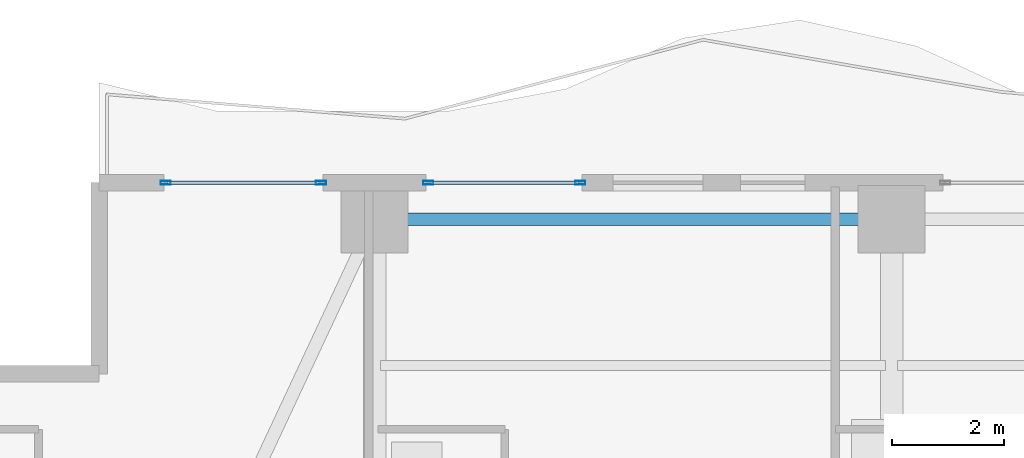
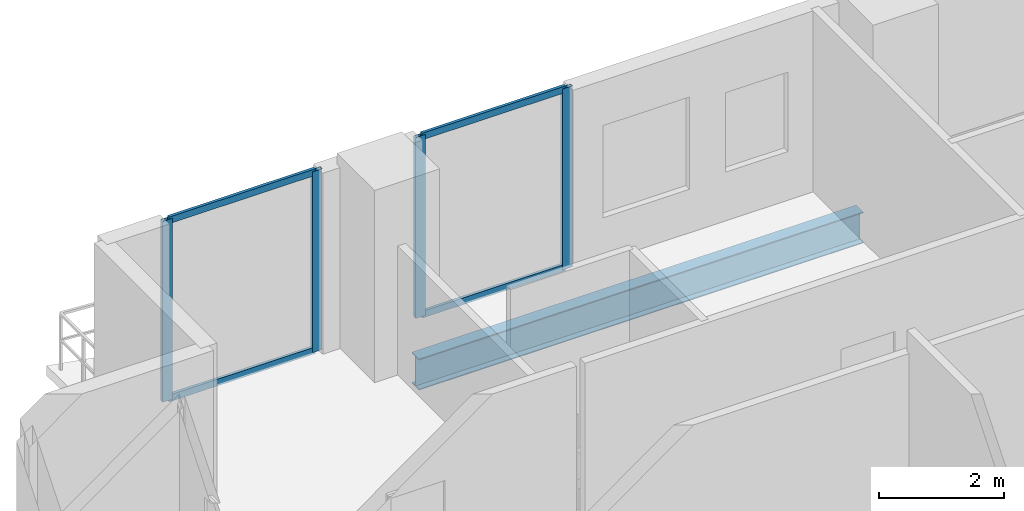
# One storey, part 17 of 32: 8 members, 1 beam, 2 elements without a shape of their own.
"""IFC4 building model written with IfcOpenShell, lengths in metres."""

from ifc_helpers import new_model, si_unit, direction, frame, origin, origin_2d, place, context, subcontext, project, spatial, hollow_rectangle, i_section, extrude, material, layer, layer_set, material_profile, profile_set, type_object, element, aggregate, save


model = new_model("IFC4")

# Units and contexts
model_context = context("Model", 3, precision=1e-05, world=origin(), true_north=direction((0.0, 1.0)))
body_context = subcontext(model_context, "Body", "Model", "MODEL_VIEW")
ifc_project = project(units=[si_unit("LENGTHUNIT", "METRE"), si_unit("AREAUNIT", "SQUARE_METRE"), si_unit("VOLUMEUNIT", "CUBIC_METRE"), si_unit("PLANEANGLEUNIT", "RADIAN"), si_unit("MASSUNIT", "GRAM", prefix="KILO")], contexts=[model_context])

# Site, building, storey
site_placement = place(None, origin())
site = spatial("IfcSite", under=ifc_project, at=site_placement, CompositionType="ELEMENT")
building_placement = place(site_placement, origin())
building = spatial("IfcBuilding", under=site, at=building_placement, Name="Zuhayl Quay Hotel", CompositionType="ELEMENT")
storey_placement = place(building_placement, frame((0.0, 0.0, 188.64990234375)))
storey = spatial("IfcBuildingStorey", under=building, at=storey_placement, Name="L47", CompositionType="ELEMENT", Elevation=188.64990234375)

# Beam
ifc_material_1 = material(Name="Steel ASTM A992 Grade 50", Category="steel")
ifc_material_profile_1 = material_profile(ifc_material_1, i_section(OverallWidth=0.22802734375, OverallDepth=0.60693359375, WebThickness=0.01123046875, FlangeThickness=0.017333984375, at=origin_2d()), Name="W24X76")
ifc_profile_set_1 = profile_set([ifc_material_profile_1], Name="Steel ASTM A992 Grade 50")
beam_type = type_object("IfcBeamType", Name="BM_B3_W24X76", PredefinedType="BEAM", material=ifc_profile_set_1)
beam_placement = place(storey_placement, frame((-5.10009765625, 32.949951171875, -0.5234375), z_axis=(-1.0, 0.0, 0.0), x_axis=(0.0, -1.0, 0.0)))
element("IfcBeam", 1, at=beam_placement, inside=storey, type_object=beam_type, Name="L47 Floor Beam RG_L47_09", PredefinedType="BEAM", context=body_context, shape_type="SweptSolid", body=[
    extrude(i_section(OverallWidth=0.22802734375, OverallDepth=0.60693359375, WebThickness=0.01123046875, FlangeThickness=0.017333984375, at=origin_2d()), origin(), (0.0, 0.0, 1.0), 8.199951171875),
])

# Curtain wall, members
ifc_material_2 = material(Name="Anodised Aluminium 6063-T6", Category="aluminium")
ifc_layer = layer(ifc_material_2, 0.175048828125, Name="Anodised Aluminium 6063-T6", Category="aluminium")
ifc_layer_set = layer_set([ifc_layer], Name="Anodised Aluminium 6063-T6")
curtain_wall_type = type_object("IfcCurtainWallType", Name="CW_SYS_Z3", PredefinedType="USERDEFINED", material=ifc_layer_set)
curtain_wall_1_placement = place(storey_placement, origin())
curtain_wall_1 = element("IfcCurtainWall", 2, at=curtain_wall_1_placement, inside=storey, type_object=curtain_wall_type, Name="L47 Curtain Wall ENV_L47_N_CW1", ObjectType="UNITISED CURTAIN WALL", PredefinedType="USERDEFINED")
ifc_material_3 = material(Name="Black-anodised aluminium 6063-T6", Category="aluminium")
ifc_material_profile_2 = material_profile(ifc_material_3, hollow_rectangle(XDim=0.06494140625, YDim=0.179931640625, WallThickness=0.00341796875, at=origin_2d()), Name="ALU180X65")
ifc_profile_set_2 = profile_set([ifc_material_profile_2], Name="Black-anodised aluminium 6063-T6")
member_type_1 = type_object("IfcMemberType", Name="MB_CW_MUL_180", PredefinedType="MULLION", material=ifc_profile_set_2)
member_1_placement = place(storey_placement, frame((-17.517578125, 33.60009765625, 0.0), z_axis=(0.0, 0.0, 1.0), x_axis=(0.0, 1.0, 0.0)))
member_1 = element("IfcMember", 3, at=member_1_placement, type_object=member_type_1, Name="CW-Z3 mullion 1", PredefinedType="MULLION", context=body_context, shape_type="SweptSolid", body=[
    extrude(hollow_rectangle(XDim=0.06494140625, YDim=0.179931640625, WallThickness=0.00341796875, at=origin_2d()), origin(), (0.0, 0.0, 1.0), 3.530029296875),
])
member_2_placement = place(storey_placement, frame((-14.75244140625, 33.60009765625, 0.0), z_axis=(0.0, 0.0, 1.0), x_axis=(0.0, 1.0, 0.0)))
member_2 = element("IfcMember", 4, at=member_2_placement, type_object=member_type_1, Name="CW-Z3 mullion 2", PredefinedType="MULLION", context=body_context, shape_type="SweptSolid", body=[
    extrude(hollow_rectangle(XDim=0.06494140625, YDim=0.179931640625, WallThickness=0.00341796875, at=origin_2d()), origin(), (0.0, 0.0, 1.0), 3.530029296875),
])

curtain_wall_2_placement = place(storey_placement, origin())
curtain_wall_2 = element("IfcCurtainWall", 5, at=curtain_wall_2_placement, inside=storey, type_object=curtain_wall_type, Name="L47 Curtain Wall ENV_L47_N_CW2", ObjectType="UNITISED CURTAIN WALL", PredefinedType="USERDEFINED")
member_3_placement = place(storey_placement, frame((-12.847412109375, 33.60009765625, 0.0), z_axis=(0.0, 0.0, 1.0), x_axis=(0.0, 1.0, 0.0)))
member_3 = element("IfcMember", 6, at=member_3_placement, type_object=member_type_1, Name="CW-Z3 mullion 1", PredefinedType="MULLION", context=body_context, shape_type="SweptSolid", body=[
    extrude(hollow_rectangle(XDim=0.06494140625, YDim=0.179931640625, WallThickness=0.00341796875, at=origin_2d()), origin(), (0.0, 0.0, 1.0), 3.530029296875),
])
member_4_placement = place(storey_placement, frame((-10.136474609375, 33.60009765625, 0.0), z_axis=(0.0, 0.0, 1.0), x_axis=(0.0, 1.0, 0.0)))
member_4 = element("IfcMember", 7, at=member_4_placement, type_object=member_type_1, Name="CW-Z3 mullion 2", PredefinedType="MULLION", context=body_context, shape_type="SweptSolid", body=[
    extrude(hollow_rectangle(XDim=0.06494140625, YDim=0.179931640625, WallThickness=0.00341796875, at=origin_2d()), origin(), (0.0, 0.0, 1.0), 3.530029296875),
])

# Member
ifc_material_profile_3 = material_profile(ifc_material_3, hollow_rectangle(XDim=0.054931640625, YDim=0.1298828125, WallThickness=0.0029296875, at=origin_2d()), Name="ALU130X55")
ifc_profile_set_3 = profile_set([ifc_material_profile_3], Name="Black-anodised aluminium 6063-T6")
member_type_2 = type_object("IfcMemberType", Name="MB_CW_TRN_130", PredefinedType="USERDEFINED", material=ifc_profile_set_3)
member_5_placement = place(storey_placement, frame((-17.485107421875, 33.60009765625, 0.027587890625), z_axis=(1.0, 0.0, 0.0), x_axis=(0.0, 1.0, 0.0)))
member_5 = element("IfcMember", 8, at=member_5_placement, type_object=member_type_2, Name="CW-Z3 transom 1.1", ObjectType="TRANSOM", PredefinedType="USERDEFINED", context=body_context, shape_type="SweptSolid", body=[
    extrude(hollow_rectangle(XDim=0.054931640625, YDim=0.1298828125, WallThickness=0.0029296875, at=origin_2d()), origin(), (0.0, 0.0, 1.0), 2.7001953125),
])

member_6_placement = place(storey_placement, frame((-17.485107421875, 33.60009765625, 3.502685546875), z_axis=(1.0, 0.0, 0.0), x_axis=(0.0, 1.0, 0.0)))
member_6 = element("IfcMember", 9, at=member_6_placement, type_object=member_type_2, Name="CW-Z3 transom 1.2", ObjectType="TRANSOM", PredefinedType="USERDEFINED", context=body_context, shape_type="SweptSolid", body=[
    extrude(hollow_rectangle(XDim=0.054931640625, YDim=0.1298828125, WallThickness=0.0029296875, at=origin_2d()), origin(), (0.0, 0.0, 1.0), 2.7001953125),
])

aggregate(curtain_wall_1, [member_1, member_2, member_5, member_6])

member_7_placement = place(storey_placement, frame((-12.81494140625, 33.60009765625, 0.027587890625), z_axis=(1.0, 0.0, 0.0), x_axis=(0.0, 1.0, 0.0)))
member_7 = element("IfcMember", 10, at=member_7_placement, type_object=member_type_2, Name="CW-Z3 transom 1.1", ObjectType="TRANSOM", PredefinedType="USERDEFINED", context=body_context, shape_type="SweptSolid", body=[
    extrude(hollow_rectangle(XDim=0.054931640625, YDim=0.1298828125, WallThickness=0.0029296875, at=origin_2d()), origin(), (0.0, 0.0, 1.0), 2.64599609375),
])

member_8_placement = place(storey_placement, frame((-12.81494140625, 33.60009765625, 3.502685546875), z_axis=(1.0, 0.0, 0.0), x_axis=(0.0, 1.0, 0.0)))
member_8 = element("IfcMember", 11, at=member_8_placement, type_object=member_type_2, Name="CW-Z3 transom 1.2", ObjectType="TRANSOM", PredefinedType="USERDEFINED", context=body_context, shape_type="SweptSolid", body=[
    extrude(hollow_rectangle(XDim=0.054931640625, YDim=0.1298828125, WallThickness=0.0029296875, at=origin_2d()), origin(), (0.0, 0.0, 1.0), 2.64599609375),
])

aggregate(curtain_wall_2, [member_3, member_4, member_7, member_8])

save(model, "model.ifc")
